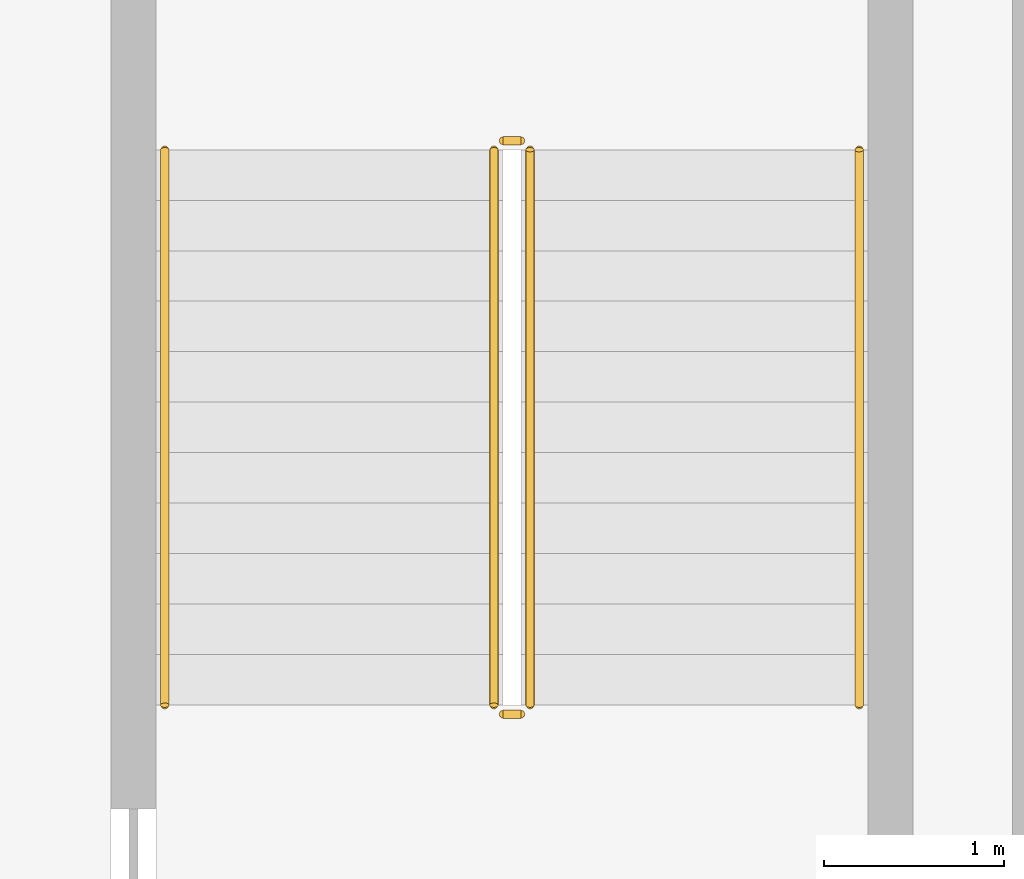
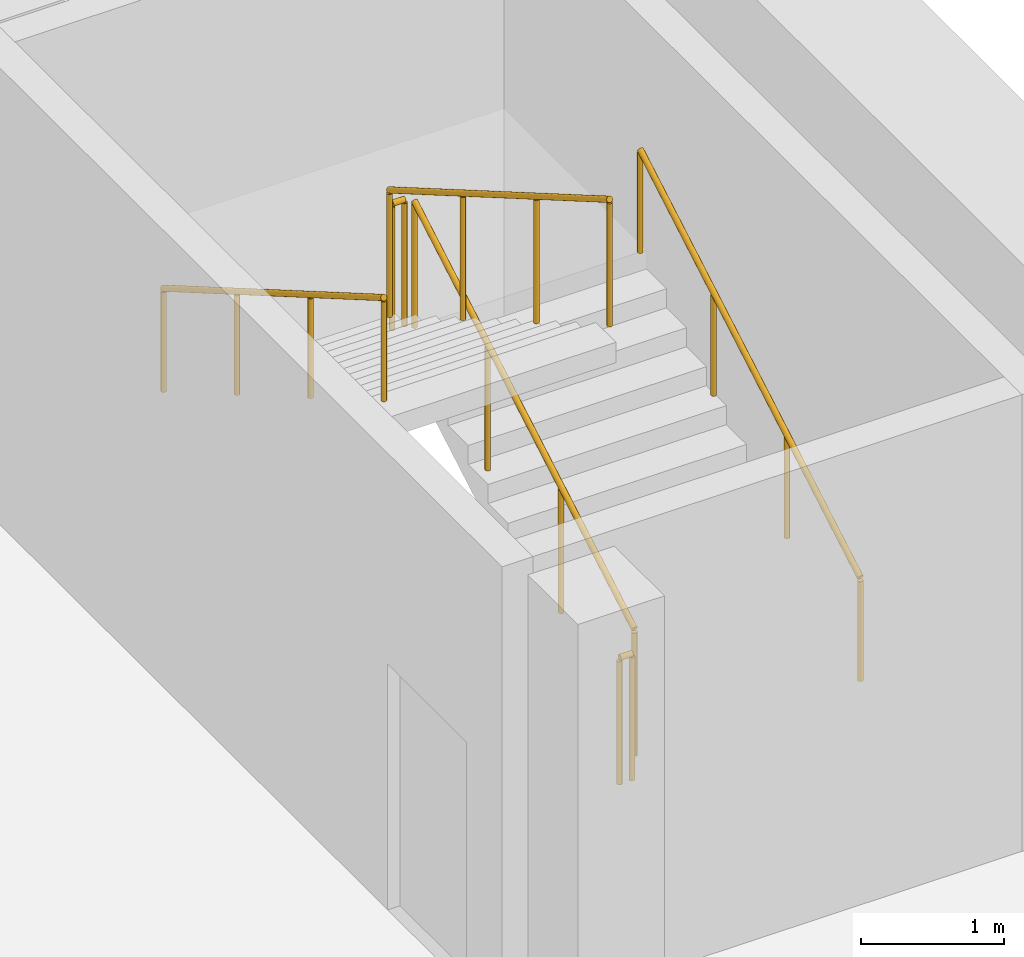
# One storey, part 24 of 25: 6 railings.
"""IFC4 building model written with IfcOpenShell, lengths in metres."""

from ifc_helpers import new_model, si_unit, direction, frame, origin, origin_2d, place, context, subcontext, project, spatial, circle, extrude, material, type_object, element, save


model = new_model("IFC4")

# Units and contexts
model_context = context("Model", 3, precision=1e-05, world=origin(), true_north=direction((0.0, 1.0)))
body_context = subcontext(model_context, "Body", "Model", "MODEL_VIEW")
ifc_project = project(units=[si_unit("LENGTHUNIT", "METRE"), si_unit("AREAUNIT", "SQUARE_METRE"), si_unit("VOLUMEUNIT", "CUBIC_METRE"), si_unit("PLANEANGLEUNIT", "RADIAN"), si_unit("MASSUNIT", "GRAM", prefix="KILO")], contexts=[model_context])

# Site, building, storey
site_placement = place(None, origin())
site = spatial("IfcSite", under=ifc_project, at=site_placement, CompositionType="ELEMENT")
building_placement = place(site_placement, origin())
building = spatial("IfcBuilding", under=site, at=building_placement, Name="Verdalira Terraces Hotel", CompositionType="ELEMENT")
storey_placement = place(building_placement, frame((0.0, 0.0, -3.899902)))
storey = spatial("IfcBuildingStorey", under=building, at=storey_placement, Name="B1", CompositionType="ELEMENT", Elevation=-3.89990234375)

# Railings
ifc_material_1 = material(Name="Stainless steel", Category="steel")
railing_type_1 = type_object("IfcRailingType", Name="Stair guard 1100", PredefinedType="GUARDRAIL", material=ifc_material_1)
railing_1_placement = place(storey_placement, frame((50.324951, 27.824951, 0.162354)))
element("IfcRailing", 1, at=railing_1_placement, inside=storey, type_object=railing_type_1, Name="B1 Basement stair 5 stair guard 1", PredefinedType="GUARDRAIL", context=body_context, shape_type="SweptSolid", body=[
    extrude(circle(Radius=0.023926, at=origin_2d()), frame((0.0, 0.0, 1.076172), z_axis=(0.0, 0.864890721, 0.501960198), x_axis=(-1.0, 0.0, 0.0)), (0.0, 0.0, 1.0), 3.561279),
    extrude(circle(Radius=0.020996, at=origin_2d()), origin(), (0.0, 0.0, 1.0), 1.052002),
    extrude(circle(Radius=0.020996, at=origin_2d()), frame((0.0, 1.026611, 0.595947)), (0.0, 0.0, 1.0), 1.052002),
    extrude(circle(Radius=0.020996, at=origin_2d()), frame((0.0, 2.053467, 1.19165)), (0.0, 0.0, 1.0), 1.052002),
    extrude(circle(Radius=0.020996, at=origin_2d()), frame((0.0, 3.080078, 1.787598)), (0.0, 0.0, 1.0), 1.052002),
])
railing_2_placement = place(storey_placement, frame((50.274902, 30.955078, 1.949951)))
element("IfcRailing", 2, at=railing_2_placement, inside=storey, type_object=railing_type_1, Name="B1 Basement stair 5 stair guard 2", PredefinedType="GUARDRAIL", context=body_context, shape_type="SweptSolid", body=[
    extrude(circle(Radius=0.023926, at=origin_2d()), frame((0.0, 0.0, 1.076172), z_axis=(-1.0, 0.0, 0.0), x_axis=(0.0, -1.0, 0.0)), (0.0, 0.0, 1.0), 0.099854),
    extrude(circle(Radius=0.020996, at=origin_2d()), origin(), (0.0, 0.0, 1.0), 1.052002),
    extrude(circle(Radius=0.020996, at=origin_2d()), frame((-0.099854, 0.0, 0.0)), (0.0, 0.0, 1.0), 1.052002),
])
railing_3_placement = place(storey_placement, frame((50.125, 30.905029, 2.112305)))
element("IfcRailing", 3, at=railing_3_placement, inside=storey, type_object=railing_type_1, Name="B1 Basement stair 5 stair guard 3", PredefinedType="GUARDRAIL", context=body_context, shape_type="SweptSolid", body=[
    extrude(circle(Radius=0.023926, at=origin_2d()), frame((0.0, 0.0, 1.076172), z_axis=(0.0, -0.864890721, 0.501960198), x_axis=(1.0, 0.0, 0.0)), (0.0, 0.0, 1.0), 3.561279),
    extrude(circle(Radius=0.020996, at=origin_2d()), origin(), (0.0, 0.0, 1.0), 1.052002),
    extrude(circle(Radius=0.020996, at=origin_2d()), frame((0.0, -1.026611, 0.595947)), (0.0, 0.0, 1.0), 1.052002),
    extrude(circle(Radius=0.020996, at=origin_2d()), frame((0.0, -2.053467, 1.19165)), (0.0, 0.0, 1.0), 1.052002),
    extrude(circle(Radius=0.020996, at=origin_2d()), frame((0.0, -3.080078, 1.787598)), (0.0, 0.0, 1.0), 1.052002),
])
railing_4_placement = place(storey_placement, frame((50.274902, 27.774902, 0.0)))
element("IfcRailing", 4, at=railing_4_placement, inside=storey, type_object=railing_type_1, Name="B1 Basement stair 5 stair guard 4", PredefinedType="GUARDRAIL", context=body_context, shape_type="SweptSolid", body=[
    extrude(circle(Radius=0.023926, at=origin_2d()), frame((0.0, 0.0, 1.076172), z_axis=(-1.0, 0.0, 0.0), x_axis=(0.0, -1.0, 0.0)), (0.0, 0.0, 1.0), 0.099854),
    extrude(circle(Radius=0.020996, at=origin_2d()), origin(), (0.0, 0.0, 1.0), 1.052002),
    extrude(circle(Radius=0.020996, at=origin_2d()), frame((-0.099854, 0.0, 0.0)), (0.0, 0.0, 1.0), 1.052002),
])
ifc_material_2 = material(Name="Stainless steel", Category="steel")
railing_type_2 = type_object("IfcRailingType", Name="Stair handrail 900", PredefinedType="HANDRAIL", material=ifc_material_2)
railing_5_placement = place(storey_placement, frame((52.149902, 27.824951, 0.162354)))
element("IfcRailing", 5, at=railing_5_placement, inside=storey, type_object=railing_type_2, Name="B1 Basement stair 5 stair handrail 1", PredefinedType="HANDRAIL", context=body_context, shape_type="SweptSolid", body=[
    extrude(circle(Radius=0.023926, at=origin_2d()), frame((0.0, 0.0, 0.875977), z_axis=(0.0, 0.864890721, 0.501960198), x_axis=(-1.0, 0.0, 0.0)), (0.0, 0.0, 1.0), 3.561279),
    extrude(circle(Radius=0.020996, at=origin_2d()), origin(), (0.0, 0.0, 1.0), 0.851807),
    extrude(circle(Radius=0.020996, at=origin_2d()), frame((0.0, 1.026611, 0.595947)), (0.0, 0.0, 1.0), 0.851807),
    extrude(circle(Radius=0.020996, at=origin_2d()), frame((0.0, 2.053467, 1.19165)), (0.0, 0.0, 1.0), 0.851807),
    extrude(circle(Radius=0.020996, at=origin_2d()), frame((0.0, 3.080078, 1.787598)), (0.0, 0.0, 1.0), 0.851807),
])
railing_6_placement = place(storey_placement, frame((48.300049, 30.905029, 2.112305)))
element("IfcRailing", 6, at=railing_6_placement, inside=storey, type_object=railing_type_2, Name="B1 Basement stair 5 stair handrail 2", PredefinedType="HANDRAIL", context=body_context, shape_type="SweptSolid", body=[
    extrude(circle(Radius=0.023926, at=origin_2d()), frame((0.0, 0.0, 0.875977), z_axis=(0.0, -0.864890721, 0.501960198), x_axis=(1.0, 0.0, 0.0)), (0.0, 0.0, 1.0), 3.561279),
    extrude(circle(Radius=0.020996, at=origin_2d()), origin(), (0.0, 0.0, 1.0), 0.851807),
    extrude(circle(Radius=0.020996, at=origin_2d()), frame((0.0, -1.026611, 0.595947)), (0.0, 0.0, 1.0), 0.851807),
    extrude(circle(Radius=0.020996, at=origin_2d()), frame((0.0, -2.053467, 1.19165)), (0.0, 0.0, 1.0), 0.851807),
    extrude(circle(Radius=0.020996, at=origin_2d()), frame((0.0, -3.080078, 1.787598)), (0.0, 0.0, 1.0), 0.851807),
])

save(model, "model.ifc")
